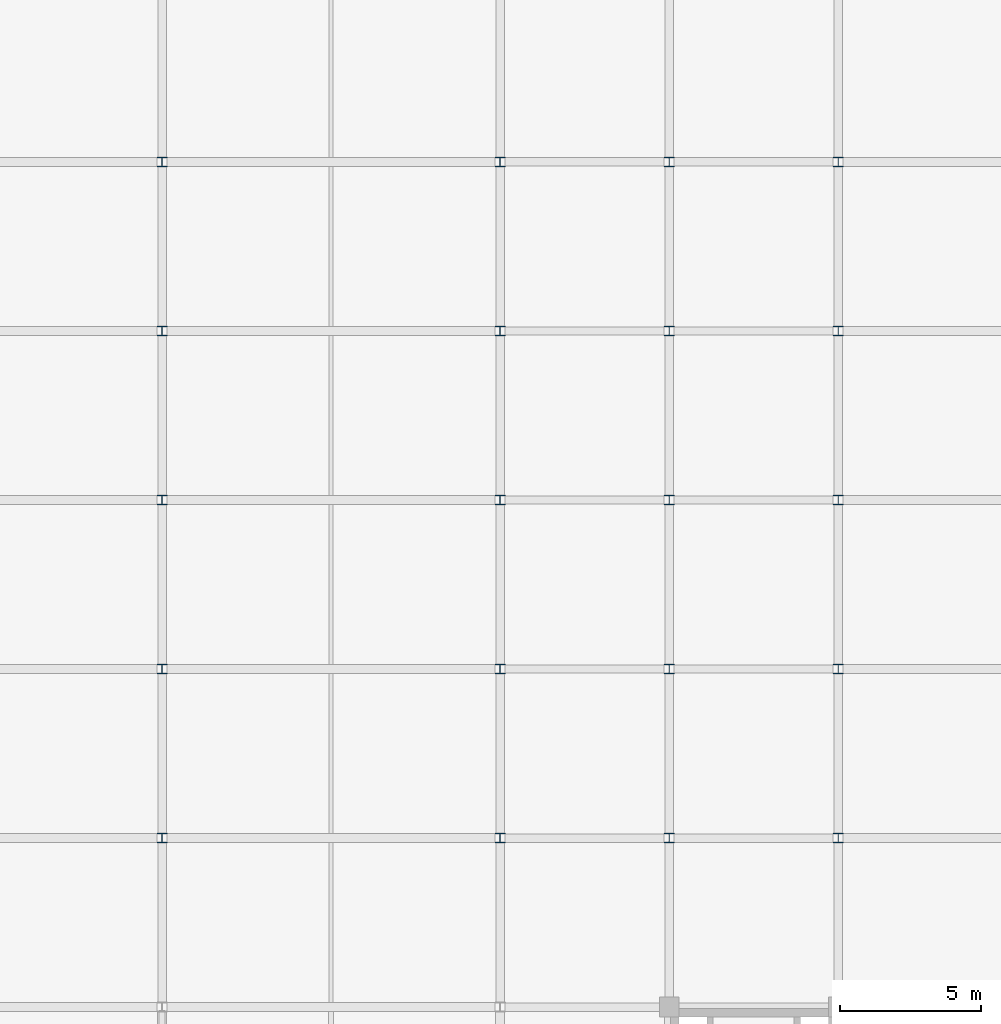
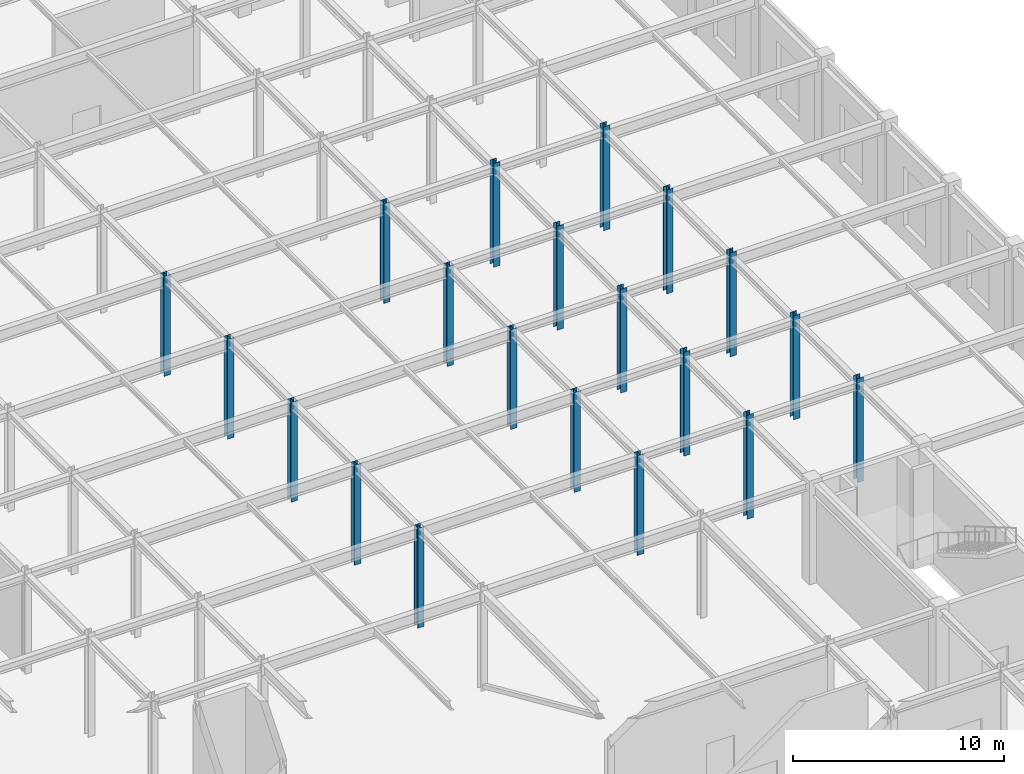
# One storey, part 23 of 51: 20 columns.
"""IFC4 building model written with IfcOpenShell, lengths in metres."""

from ifc_helpers import new_model, si_unit, direction, frame, origin, origin_2d, place, context, subcontext, project, spatial, i_section, extrude, material, material_profile, profile_set, type_object, element, save


model = new_model("IFC4")

# Units and contexts
model_context = context("Model", 3, precision=1e-05, world=origin(), true_north=direction((0.0, 1.0)))
body_context = subcontext(model_context, "Body", "Model", "MODEL_VIEW")
ifc_project = project(units=[si_unit("LENGTHUNIT", "METRE"), si_unit("AREAUNIT", "SQUARE_METRE"), si_unit("VOLUMEUNIT", "CUBIC_METRE"), si_unit("PLANEANGLEUNIT", "RADIAN"), si_unit("MASSUNIT", "GRAM", prefix="KILO")], contexts=[model_context])

# Site, building, storey
site_placement = place(None, origin())
site = spatial("IfcSite", under=ifc_project, at=site_placement, CompositionType="ELEMENT")
building_placement = place(site_placement, origin())
building = spatial("IfcBuilding", under=site, at=building_placement, Name="Zlatovratsky Civic Hall", CompositionType="ELEMENT")
storey_placement = place(building_placement, origin())
storey = spatial("IfcBuildingStorey", under=building, at=storey_placement, Name="L01", CompositionType="ELEMENT", Elevation=0.0)

# Columns
ifc_material = material(Name="Steel S355", Category="steel")
ifc_material_profile = material_profile(ifc_material, i_section(OverallWidth=0.35009765625, OverallDepth=0.343017578125, WebThickness=0.010009765625, FlangeThickness=0.014892578125, FilletRadius=0.02001953125, at=origin_2d()), Name="35K1")
ifc_profile_set = profile_set([ifc_material_profile], Name="Steel S355")
column_type = type_object("IfcColumnType", Name="Col_Steel_35K1", PredefinedType="COLUMN", material=ifc_profile_set)
for number, where, z_axis, x_axis, name in (
    (1, (132.0, 36.0, 0.0), (0.0, 0.0, 1.0), (1.0, 0.0, 0.0), "CL-0518"),
    (2, (144.0, 36.0, 0.0), (0.0, 0.0, 1.0), (1.0, 0.0, 0.0), "CL-0519"),
):
    element("IfcColumn", number, at=place(storey_placement, frame(where, z_axis=z_axis, x_axis=x_axis)), inside=storey, type_object=column_type, Name=name, PredefinedType="COLUMN", context=body_context, shape_type="SweptSolid", body=[
        extrude(i_section(OverallWidth=0.35009765625, OverallDepth=0.343017578125, WebThickness=0.010009765625, FlangeThickness=0.014892578125, FilletRadius=0.02001953125, at=origin_2d()), origin(), (0.0, 0.0, 1.0), 5.760009765625),
    ])
for number, where, z_axis, x_axis, name in (
    (3, (150.0, 36.0, 0.0), (0.0, 0.0, 1.0), (1.0, 0.0, 0.0), "CL-0520"),
    (4, (156.0, 36.0, 0.0), (0.0, 0.0, 1.0), (1.0, 0.0, 0.0), "CL-0521"),
):
    element("IfcColumn", number, at=place(storey_placement, frame(where, z_axis=z_axis, x_axis=x_axis)), inside=storey, type_object=column_type, Name=name, PredefinedType="COLUMN", context=body_context, shape_type="SweptSolid", body=[
        extrude(i_section(OverallWidth=0.35009765625, OverallDepth=0.343017578125, WebThickness=0.010009765625, FlangeThickness=0.014892578125, FilletRadius=0.02001953125, at=origin_2d()), origin(), (0.0, 0.0, 1.0), 6.0),
    ])
for number, where, z_axis, x_axis, name in (
    (5, (132.0, 42.0, 0.0), (0.0, 0.0, 1.0), (1.0, 0.0, 0.0), "CL-0541"),
    (6, (144.0, 42.0, 0.0), (0.0, 0.0, 1.0), (1.0, 0.0, 0.0), "CL-0542"),
):
    element("IfcColumn", number, at=place(storey_placement, frame(where, z_axis=z_axis, x_axis=x_axis)), inside=storey, type_object=column_type, Name=name, PredefinedType="COLUMN", context=body_context, shape_type="SweptSolid", body=[
        extrude(i_section(OverallWidth=0.35009765625, OverallDepth=0.343017578125, WebThickness=0.010009765625, FlangeThickness=0.014892578125, FilletRadius=0.02001953125, at=origin_2d()), origin(), (0.0, 0.0, 1.0), 5.760009765625),
    ])
for number, where, z_axis, x_axis, name in (
    (7, (150.0, 42.0, 0.0), (0.0, 0.0, 1.0), (1.0, 0.0, 0.0), "CL-0543"),
    (8, (156.0, 42.0, 0.0), (0.0, 0.0, 1.0), (1.0, 0.0, 0.0), "CL-0544"),
):
    element("IfcColumn", number, at=place(storey_placement, frame(where, z_axis=z_axis, x_axis=x_axis)), inside=storey, type_object=column_type, Name=name, PredefinedType="COLUMN", context=body_context, shape_type="SweptSolid", body=[
        extrude(i_section(OverallWidth=0.35009765625, OverallDepth=0.343017578125, WebThickness=0.010009765625, FlangeThickness=0.014892578125, FilletRadius=0.02001953125, at=origin_2d()), origin(), (0.0, 0.0, 1.0), 6.0),
    ])
for number, where, z_axis, x_axis, name in (
    (9, (132.0, 48.0, 0.0), (0.0, 0.0, 1.0), (1.0, 0.0, 0.0), "CL-0564"),
    (10, (144.0, 48.0, 0.0), (0.0, 0.0, 1.0), (1.0, 0.0, 0.0), "CL-0565"),
):
    element("IfcColumn", number, at=place(storey_placement, frame(where, z_axis=z_axis, x_axis=x_axis)), inside=storey, type_object=column_type, Name=name, PredefinedType="COLUMN", context=body_context, shape_type="SweptSolid", body=[
        extrude(i_section(OverallWidth=0.35009765625, OverallDepth=0.343017578125, WebThickness=0.010009765625, FlangeThickness=0.014892578125, FilletRadius=0.02001953125, at=origin_2d()), origin(), (0.0, 0.0, 1.0), 5.760009765625),
    ])
for number, where, z_axis, x_axis, name in (
    (11, (150.0, 48.0, 0.0), (0.0, 0.0, 1.0), (1.0, 0.0, 0.0), "CL-0566"),
    (12, (156.0, 48.0, 0.0), (0.0, 0.0, 1.0), (1.0, 0.0, 0.0), "CL-0567"),
):
    element("IfcColumn", number, at=place(storey_placement, frame(where, z_axis=z_axis, x_axis=x_axis)), inside=storey, type_object=column_type, Name=name, PredefinedType="COLUMN", context=body_context, shape_type="SweptSolid", body=[
        extrude(i_section(OverallWidth=0.35009765625, OverallDepth=0.343017578125, WebThickness=0.010009765625, FlangeThickness=0.014892578125, FilletRadius=0.02001953125, at=origin_2d()), origin(), (0.0, 0.0, 1.0), 6.0),
    ])
for number, where, z_axis, x_axis, name in (
    (13, (132.0, 54.0, 0.0), (0.0, 0.0, 1.0), (1.0, 0.0, 0.0), "CL-0587"),
    (14, (144.0, 54.0, 0.0), (0.0, 0.0, 1.0), (1.0, 0.0, 0.0), "CL-0588"),
):
    element("IfcColumn", number, at=place(storey_placement, frame(where, z_axis=z_axis, x_axis=x_axis)), inside=storey, type_object=column_type, Name=name, PredefinedType="COLUMN", context=body_context, shape_type="SweptSolid", body=[
        extrude(i_section(OverallWidth=0.35009765625, OverallDepth=0.343017578125, WebThickness=0.010009765625, FlangeThickness=0.014892578125, FilletRadius=0.02001953125, at=origin_2d()), origin(), (0.0, 0.0, 1.0), 5.760009765625),
    ])
for number, where, z_axis, x_axis, name in (
    (15, (150.0, 54.0, 0.0), (0.0, 0.0, 1.0), (1.0, 0.0, 0.0), "CL-0589"),
    (16, (156.0, 54.0, 0.0), (0.0, 0.0, 1.0), (1.0, 0.0, 0.0), "CL-0590"),
):
    element("IfcColumn", number, at=place(storey_placement, frame(where, z_axis=z_axis, x_axis=x_axis)), inside=storey, type_object=column_type, Name=name, PredefinedType="COLUMN", context=body_context, shape_type="SweptSolid", body=[
        extrude(i_section(OverallWidth=0.35009765625, OverallDepth=0.343017578125, WebThickness=0.010009765625, FlangeThickness=0.014892578125, FilletRadius=0.02001953125, at=origin_2d()), origin(), (0.0, 0.0, 1.0), 6.0),
    ])
for number, where, z_axis, x_axis, name in (
    (17, (132.0, 60.0, 0.0), (0.0, 0.0, 1.0), (1.0, 0.0, 0.0), "CL-0610"),
    (18, (144.0, 60.0, 0.0), (0.0, 0.0, 1.0), (1.0, 0.0, 0.0), "CL-0611"),
):
    element("IfcColumn", number, at=place(storey_placement, frame(where, z_axis=z_axis, x_axis=x_axis)), inside=storey, type_object=column_type, Name=name, PredefinedType="COLUMN", context=body_context, shape_type="SweptSolid", body=[
        extrude(i_section(OverallWidth=0.35009765625, OverallDepth=0.343017578125, WebThickness=0.010009765625, FlangeThickness=0.014892578125, FilletRadius=0.02001953125, at=origin_2d()), origin(), (0.0, 0.0, 1.0), 5.760009765625),
    ])
for number, where, z_axis, x_axis, name in (
    (19, (150.0, 60.0, 0.0), (0.0, 0.0, 1.0), (1.0, 0.0, 0.0), "CL-0612"),
    (20, (156.0, 60.0, 0.0), (0.0, 0.0, 1.0), (1.0, 0.0, 0.0), "CL-0613"),
):
    element("IfcColumn", number, at=place(storey_placement, frame(where, z_axis=z_axis, x_axis=x_axis)), inside=storey, type_object=column_type, Name=name, PredefinedType="COLUMN", context=body_context, shape_type="SweptSolid", body=[
        extrude(i_section(OverallWidth=0.35009765625, OverallDepth=0.343017578125, WebThickness=0.010009765625, FlangeThickness=0.014892578125, FilletRadius=0.02001953125, at=origin_2d()), origin(), (0.0, 0.0, 1.0), 6.0),
    ])

save(model, "model.ifc")
